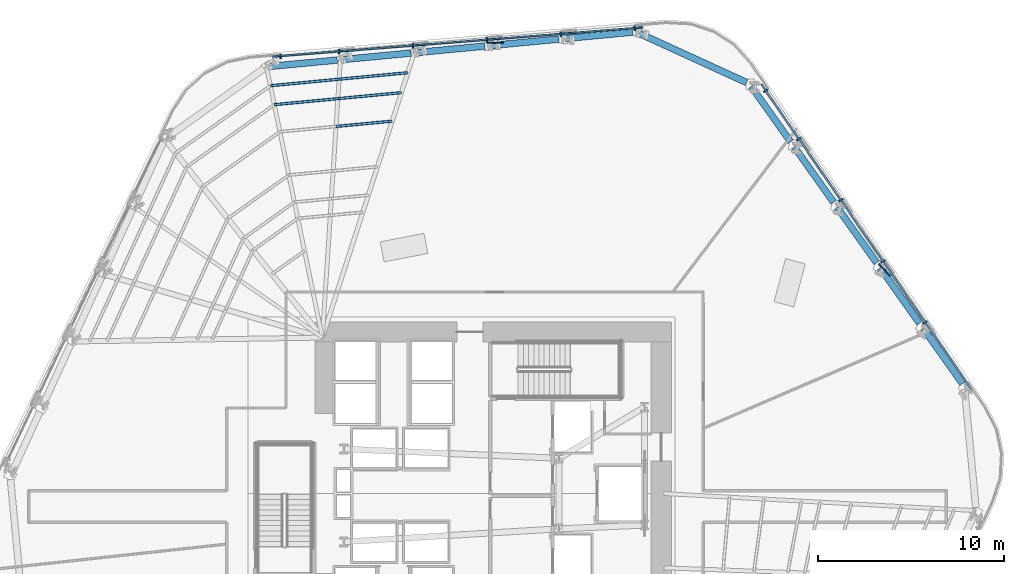
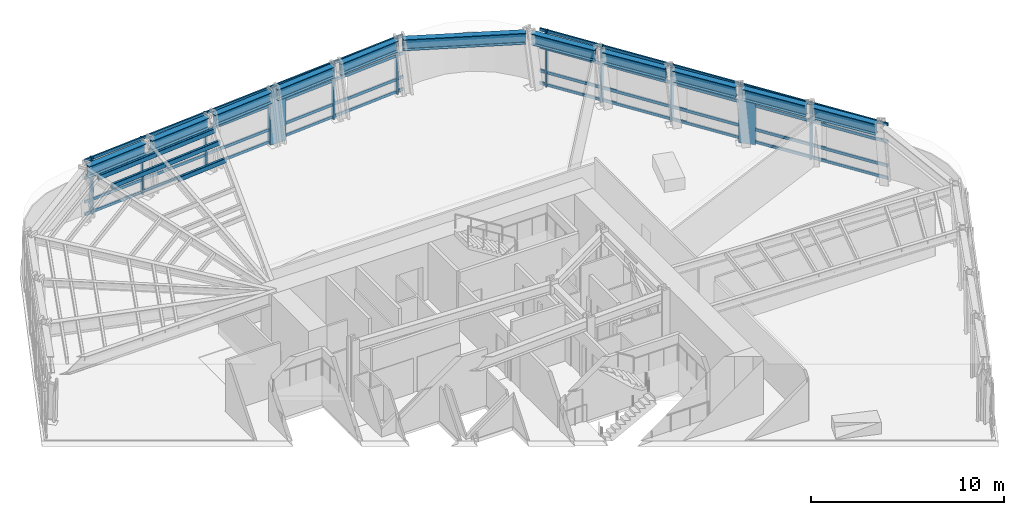
# One storey, part 6 of 15: 26 members, 11 beams, 2 elements without a shape of their own.
"""IFC4 building model written with IfcOpenShell, lengths in metres."""

from ifc_helpers import new_model, si_unit, direction, frame, origin, origin_2d, place, context, subcontext, project, spatial, rectangle, hollow_rectangle, i_section, extrude, material, layer, layer_set, material_profile, profile_set, type_object, element, aggregate, save


model = new_model("IFC4")

# Units and contexts
model_context = context("Model", 3, precision=1e-05, world=origin(), true_north=direction((0.0, 1.0)))
body_context = subcontext(model_context, "Body", "Model", "MODEL_VIEW")
ifc_project = project(units=[si_unit("LENGTHUNIT", "METRE"), si_unit("AREAUNIT", "SQUARE_METRE"), si_unit("VOLUMEUNIT", "CUBIC_METRE"), si_unit("PLANEANGLEUNIT", "RADIAN"), si_unit("MASSUNIT", "GRAM", prefix="KILO")], contexts=[model_context])

# Site, building, storey
site_placement = place(None, origin())
site = spatial("IfcSite", under=ifc_project, at=site_placement, CompositionType="ELEMENT")
building_placement = place(site_placement, origin())
building = spatial("IfcBuilding", under=site, at=building_placement, Name="Valkerne Bourse Tower", CompositionType="ELEMENT")
storey_placement = place(building_placement, frame((0.0, 0.0, 43.0)))
storey = spatial("IfcBuildingStorey", under=building, at=storey_placement, Name="L10", CompositionType="ELEMENT", Elevation=43.0)

# Beams
ifc_material_1 = material(Name="Steel ASTM A992", Category="steel")
ifc_material_profile_1 = material_profile(ifc_material_1, i_section(OverallWidth=0.358154296875, OverallDepth=0.7060546875, WebThickness=0.018310546875, FlangeThickness=0.0302734375, FilletRadius=0.02294921875, at=origin_2d()), Name="W27X178")
ifc_profile_set_1 = profile_set([ifc_material_profile_1], Name="Steel ASTM A992")
beam_type = type_object("IfcBeamType", Name="BM-W27X178", PredefinedType="SPANDREL", material=ifc_profile_set_1)
for number, where, z_axis, x_axis, name in (
    (1, (72.077880859375, 32.9169921875, 3.226806640625), (-0.579309893244, 0.815107384085, 0.0), (-0.815107384085, -0.579309893244, 0.0), "L10 Hexagonal Spandrel Ring Beam 00"),
    (2, (69.762939453125, 36.174072265625, 3.226806640625), (-0.579233990658, 0.815161323952, 0.0), (-0.815161323952, -0.579233990658, 0.0), "L10 Hexagonal Spandrel Ring Beam 01"),
    (3, (67.4482421875, 39.431396484375, 3.226806640625), (-0.579309893244, 0.815107384085, 0.0), (-0.815107384085, -0.579309893244, 0.0), "L10 Hexagonal Spandrel Ring Beam 02"),
):
    element("IfcBeam", number, at=place(storey_placement, frame(where, z_axis=z_axis, x_axis=x_axis)), inside=storey, type_object=beam_type, Name=name, PredefinedType="SPANDREL", context=body_context, shape_type="SweptSolid", body=[
        extrude(i_section(OverallWidth=0.358154296875, OverallDepth=0.7060546875, WebThickness=0.018310546875, FlangeThickness=0.0302734375, FilletRadius=0.02294921875, at=origin_2d()), origin(), (0.0, 0.0, 1.0), 3.656005859375),
    ])
beam_1_placement = place(storey_placement, frame((65.13330078125, 42.688720703125, 3.226806640625), z_axis=(-0.57926552254, 0.815138917238, 0.0), x_axis=(-0.815138917238, -0.57926552254, 0.0)))
element("IfcBeam", 4, at=beam_1_placement, inside=storey, type_object=beam_type, Name="L10 Hexagonal Spandrel Ring Beam 03", PredefinedType="SPANDREL", context=body_context, shape_type="SweptSolid", body=[
    extrude(i_section(OverallWidth=0.358154296875, OverallDepth=0.7060546875, WebThickness=0.018310546875, FlangeThickness=0.0302734375, FilletRadius=0.02294921875, at=origin_2d()), origin(), (0.0, 0.0, 1.0), 3.65576171875),
])
beam_2_placement = place(storey_placement, frame((62.818603515625, 45.94580078125, 3.226806640625), z_axis=(-0.579309893244, 0.815107384085, 0.0), x_axis=(-0.815107384085, -0.579309893244, 0.0)))
element("IfcBeam", 5, at=beam_2_placement, inside=storey, type_object=beam_type, Name="L10 Hexagonal Spandrel Ring Beam 04", PredefinedType="SPANDREL", context=body_context, shape_type="SweptSolid", body=[
    extrude(i_section(OverallWidth=0.358154296875, OverallDepth=0.7060546875, WebThickness=0.018310546875, FlangeThickness=0.0302734375, FilletRadius=0.02294921875, at=origin_2d()), origin(), (0.0, 0.0, 1.0), 3.656005859375),
])
beam_3_placement = place(storey_placement, frame((60.44775390625, 49.13525390625, 3.226806640625), z_axis=(-0.909232402618, 0.416288887708, 0.0), x_axis=(-0.416288887708, -0.909232402618, 0.0)))
element("IfcBeam", 6, at=beam_3_placement, inside=storey, type_object=beam_type, Name="L10 Hexagonal Spandrel Ring Beam 05", PredefinedType="SPANDREL", context=body_context, shape_type="SweptSolid", body=[
    extrude(i_section(OverallWidth=0.358154296875, OverallDepth=0.7060546875, WebThickness=0.018310546875, FlangeThickness=0.0302734375, FilletRadius=0.02294921875, at=origin_2d()), origin(), (0.0, 0.0, 1.0), 6.388916015625),
])
beam_4_placement = place(storey_placement, frame((54.314697265625, 51.849609375, 3.226806640625), z_axis=(-0.995563346647, -0.094093691671, 0.0), x_axis=(0.094093691671, -0.995563346647, 0.0)))
element("IfcBeam", 7, at=beam_4_placement, inside=storey, type_object=beam_type, Name="L10 Hexagonal Spandrel Ring Beam 06", PredefinedType="SPANDREL", context=body_context, shape_type="SweptSolid", body=[
    extrude(i_section(OverallWidth=0.358154296875, OverallDepth=0.7060546875, WebThickness=0.018310546875, FlangeThickness=0.0302734375, FilletRadius=0.02294921875, at=origin_2d()), origin(), (0.0, 0.0, 1.0), 3.65576171875),
])
beam_5_placement = place(storey_placement, frame((50.336669921875, 51.4736328125, 3.226806640625), z_axis=(-0.995563937838, -0.094087436341, 0.0), x_axis=(0.094087436341, -0.995563937838, 0.0)))
element("IfcBeam", 8, at=beam_5_placement, inside=storey, type_object=beam_type, Name="L10 Hexagonal Spandrel Ring Beam 07", PredefinedType="SPANDREL", context=body_context, shape_type="SweptSolid", body=[
    extrude(i_section(OverallWidth=0.358154296875, OverallDepth=0.7060546875, WebThickness=0.018310546875, FlangeThickness=0.0302734375, FilletRadius=0.02294921875, at=origin_2d()), origin(), (0.0, 0.0, 1.0), 3.656005859375),
])
beam_6_placement = place(storey_placement, frame((46.3583984375, 51.09765625, 3.226806640625), z_axis=(-0.995557680762, -0.094153620623, 0.0), x_axis=(0.094153620623, -0.995557680762, 0.0)))
element("IfcBeam", 9, at=beam_6_placement, inside=storey, type_object=beam_type, Name="L10 Hexagonal Spandrel Ring Beam 08", PredefinedType="SPANDREL", context=body_context, shape_type="SweptSolid", body=[
    extrude(i_section(OverallWidth=0.358154296875, OverallDepth=0.7060546875, WebThickness=0.018310546875, FlangeThickness=0.0302734375, FilletRadius=0.02294921875, at=origin_2d()), origin(), (0.0, 0.0, 1.0), 3.65625),
])
beam_7_placement = place(storey_placement, frame((42.3798828125, 50.721435546875, 3.226806640625), z_axis=(-0.995563346647, -0.094093691671, 0.0), x_axis=(0.094093691671, -0.995563346647, 0.0)))
element("IfcBeam", 10, at=beam_7_placement, inside=storey, type_object=beam_type, Name="L10 Hexagonal Spandrel Ring Beam 09", PredefinedType="SPANDREL", context=body_context, shape_type="SweptSolid", body=[
    extrude(i_section(OverallWidth=0.358154296875, OverallDepth=0.7060546875, WebThickness=0.018310546875, FlangeThickness=0.0302734375, FilletRadius=0.02294921875, at=origin_2d()), origin(), (0.0, 0.0, 1.0), 3.65576171875),
])
beam_8_placement = place(storey_placement, frame((38.40185546875, 50.345458984375, 3.226806640625), z_axis=(-0.995563937838, -0.094087436341, 0.0), x_axis=(0.094087436341, -0.995563937838, 0.0)))
element("IfcBeam", 11, at=beam_8_placement, inside=storey, type_object=beam_type, Name="L10 Hexagonal Spandrel Ring Beam 10", PredefinedType="SPANDREL", context=body_context, shape_type="SweptSolid", body=[
    extrude(i_section(OverallWidth=0.358154296875, OverallDepth=0.7060546875, WebThickness=0.018310546875, FlangeThickness=0.0302734375, FilletRadius=0.02294921875, at=origin_2d()), origin(), (0.0, 0.0, 1.0), 3.656005859375),
])

# Curtain wall, members
ifc_material_2 = material(Name="Aluminium AA 6063-T6", Category="aluminium")
ifc_layer = layer(ifc_material_2, 0.22509765625)
ifc_layer_set = layer_set([ifc_layer], Name="Aluminium AA 6063-T6")
curtain_wall_type = type_object("IfcCurtainWallType", Name="CW-01", PredefinedType="NOTDEFINED", material=ifc_layer_set)
curtain_wall_1_placement = place(storey_placement, origin())
curtain_wall_1 = element("IfcCurtainWall", 12, at=curtain_wall_1_placement, inside=storey, type_object=curtain_wall_type, Name="L10 Hexagonal Stick Curtain Wall Face 1", PredefinedType="NOTDEFINED")
ifc_material_profile_2 = material_profile(ifc_material_2, rectangle(XDim=0.090087890625, YDim=0.239990234375, at=origin_2d()), Name="CWM-90X240")
ifc_profile_set_2 = profile_set([ifc_material_profile_2], Name="Aluminium AA 6063-T6")
member_type_1 = type_object("IfcMemberType", Name="CW-MUL-240X90", PredefinedType="MULLION", material=ifc_profile_set_2)
member_1_placement = place(storey_placement, frame((70.04296875, 36.2109375, 0.0), z_axis=(0.0, 0.0, 1.0), x_axis=(-0.566414114299, 0.824120774597, 0.0)))
member_1 = element("IfcMember", 13, at=member_1_placement, type_object=member_type_1, Name="CW-L10-F1 Jamb Mullion 01A", PredefinedType="MULLION", context=body_context, shape_type="SweptSolid", body=[
    extrude(rectangle(XDim=0.090087890625, YDim=0.239990234375, at=origin_2d()), origin(), (0.0, 0.0, 1.0), 3.580078125),
])
member_2_placement = place(storey_placement, frame((67.779541015625, 39.504150390625, 0.0), z_axis=(0.0, 0.0, 1.0), x_axis=(-0.566397117643, 0.824132456056, 0.0)))
member_2 = element("IfcMember", 14, at=member_2_placement, type_object=member_type_1, Name="CW-L10-F1 Jamb Mullion 02A", PredefinedType="MULLION", context=body_context, shape_type="SweptSolid", body=[
    extrude(rectangle(XDim=0.090087890625, YDim=0.239990234375, at=origin_2d()), origin(), (0.0, 0.0, 1.0), 3.580078125),
])
member_3_placement = place(storey_placement, frame((65.51611328125, 42.79736328125, 0.0), z_axis=(0.0, 0.0, 1.0), x_axis=(-0.566414114299, 0.824120774597, 0.0)))
member_3 = element("IfcMember", 15, at=member_3_placement, type_object=member_type_1, Name="CW-L10-F1 Jamb Mullion 03A", PredefinedType="MULLION", context=body_context, shape_type="SweptSolid", body=[
    extrude(rectangle(XDim=0.090087890625, YDim=0.239990234375, at=origin_2d()), origin(), (0.0, 0.0, 1.0), 3.580078125),
])
member_4_placement = place(storey_placement, frame((63.252685546875, 46.090576171875, 0.0), z_axis=(0.0, 0.0, 1.0), x_axis=(-0.566397117643, 0.824132456056, 0.0)))
member_4 = element("IfcMember", 16, at=member_4_placement, type_object=member_type_1, Name="CW-L10-F1 Jamb Mullion 04A", PredefinedType="MULLION", context=body_context, shape_type="SweptSolid", body=[
    extrude(rectangle(XDim=0.090087890625, YDim=0.239990234375, at=origin_2d()), origin(), (0.0, 0.0, 1.0), 3.580078125),
])
member_5_placement = place(storey_placement, frame((61.46533203125, 48.69140625, 0.0), z_axis=(0.0, 0.0, 1.0), x_axis=(-0.566397117643, 0.824132456056, 0.0)))
member_5 = element("IfcMember", 17, at=member_5_placement, type_object=member_type_1, Name="CW-L10-F1 Jamb Mullion 04B", PredefinedType="MULLION", context=body_context, shape_type="SweptSolid", body=[
    extrude(rectangle(XDim=0.090087890625, YDim=0.239990234375, at=origin_2d()), origin(), (0.0, 0.0, 1.0), 3.580078125),
])

curtain_wall_2_placement = place(storey_placement, origin())
curtain_wall_2 = element("IfcCurtainWall", 18, at=curtain_wall_2_placement, inside=storey, type_object=curtain_wall_type, Name="L10 Hexagonal Stick Curtain Wall Face 2", PredefinedType="NOTDEFINED")
member_6_placement = place(storey_placement, frame((54.42822265625, 52.0478515625, 0.0), z_axis=(0.0, 0.0, 1.0), x_axis=(-0.99691780328, -0.078453129337, 0.0)))
member_6 = element("IfcMember", 19, at=member_6_placement, type_object=member_type_1, Name="CW-L10-F2 Jamb Mullion 00A", PredefinedType="MULLION", context=body_context, shape_type="SweptSolid", body=[
    extrude(rectangle(XDim=0.090087890625, YDim=0.239990234375, at=origin_2d()), origin(), (0.0, 0.0, 1.0), 3.580078125),
])
member_7_placement = place(storey_placement, frame((50.444580078125, 51.734375, 0.0), z_axis=(0.0, 0.0, 1.0), x_axis=(-0.99691780328, -0.078453129337, 0.0)))
member_7 = element("IfcMember", 20, at=member_7_placement, type_object=member_type_1, Name="CW-L10-F2 Jamb Mullion 01A", PredefinedType="MULLION", context=body_context, shape_type="SweptSolid", body=[
    extrude(rectangle(XDim=0.090087890625, YDim=0.239990234375, at=origin_2d()), origin(), (0.0, 0.0, 1.0), 3.580078125),
])
member_8_placement = place(storey_placement, frame((46.4609375, 51.4208984375, 0.0), z_axis=(0.0, 0.0, 1.0), x_axis=(-0.99691780328, -0.078453129337, 0.0)))
member_8 = element("IfcMember", 21, at=member_8_placement, type_object=member_type_1, Name="CW-L10-F2 Jamb Mullion 02A", PredefinedType="MULLION", context=body_context, shape_type="SweptSolid", body=[
    extrude(rectangle(XDim=0.090087890625, YDim=0.239990234375, at=origin_2d()), origin(), (0.0, 0.0, 1.0), 3.580078125),
])
member_9_placement = place(storey_placement, frame((42.477294921875, 51.107421875, 0.0), z_axis=(0.0, 0.0, 1.0), x_axis=(-0.996915845742, -0.078478000155, 0.0)))
member_9 = element("IfcMember", 22, at=member_9_placement, type_object=member_type_1, Name="CW-L10-F2 Jamb Mullion 03A", PredefinedType="MULLION", context=body_context, shape_type="SweptSolid", body=[
    extrude(rectangle(XDim=0.090087890625, YDim=0.239990234375, at=origin_2d()), origin(), (0.0, 0.0, 1.0), 3.580078125),
])
member_10_placement = place(storey_placement, frame((38.493408203125, 50.793701171875, 0.0), z_axis=(0.0, 0.0, 1.0), x_axis=(-0.99691764925, -0.078455086606, 0.0)))
member_10 = element("IfcMember", 23, at=member_10_placement, type_object=member_type_1, Name="CW-L10-F2 Jamb Mullion 04A", PredefinedType="MULLION", context=body_context, shape_type="SweptSolid", body=[
    extrude(rectangle(XDim=0.090087890625, YDim=0.239990234375, at=origin_2d()), origin(), (0.0, 0.0, 1.0), 3.580078125),
])
member_11_placement = place(storey_placement, frame((35.347412109375, 50.546142578125, 0.0), z_axis=(0.0, 0.0, 1.0), x_axis=(-0.99691764925, -0.078455086606, 0.0)))
member_11 = element("IfcMember", 24, at=member_11_placement, type_object=member_type_1, Name="CW-L10-F2 Jamb Mullion 04B", PredefinedType="MULLION", context=body_context, shape_type="SweptSolid", body=[
    extrude(rectangle(XDim=0.090087890625, YDim=0.239990234375, at=origin_2d()), origin(), (0.0, 0.0, 1.0), 3.580078125),
])

# Member
ifc_material_profile_3 = material_profile(ifc_material_2, rectangle(XDim=0.090087890625, YDim=0.179931640625, at=origin_2d()), Name="CWT-90X180")
ifc_profile_set_3 = profile_set([ifc_material_profile_3], Name="Aluminium AA 6063-T6")
member_type_2 = type_object("IfcMemberType", Name="CW-TRN-180X90", PredefinedType="USERDEFINED", material=ifc_profile_set_3)
member_12_placement = place(storey_placement, frame((72.560791015625, 32.5830078125, 0.1201171875), z_axis=(-0.56641472718, 0.824120353367, 0.0), x_axis=(-0.824120353367, -0.56641472718, 0.0)))
member_12 = element("IfcMember", 25, at=member_12_placement, type_object=member_type_2, Name="CW-L10-F1 Continuous Face Transom 1", ObjectType="TRANSOM", PredefinedType="USERDEFINED", context=body_context, shape_type="SweptSolid", body=[
    extrude(rectangle(XDim=0.090087890625, YDim=0.179931640625, at=origin_2d()), origin(), (0.0, 0.0, 1.0), 19.97998046875),
])

member_13_placement = place(storey_placement, frame((72.560791015625, 32.5830078125, 0.89990234375), z_axis=(-0.56641472718, 0.824120353367, 0.0), x_axis=(-0.824120353367, -0.56641472718, 0.0)))
member_13 = element("IfcMember", 26, at=member_13_placement, type_object=member_type_2, Name="CW-L10-F1 Continuous Face Transom 2", ObjectType="TRANSOM", PredefinedType="USERDEFINED", context=body_context, shape_type="SweptSolid", body=[
    extrude(rectangle(XDim=0.090087890625, YDim=0.179931640625, at=origin_2d()), origin(), (0.0, 0.0, 1.0), 19.97998046875),
])

member_14_placement = place(storey_placement, frame((72.560791015625, 32.5830078125, 2.39990234375), z_axis=(-0.56641472718, 0.824120353367, 0.0), x_axis=(-0.824120353367, -0.56641472718, 0.0)))
member_14 = element("IfcMember", 27, at=member_14_placement, type_object=member_type_2, Name="CW-L10-F1 Continuous Face Transom 3", ObjectType="TRANSOM", PredefinedType="USERDEFINED", context=body_context, shape_type="SweptSolid", body=[
    extrude(rectangle(XDim=0.090087890625, YDim=0.179931640625, at=origin_2d()), origin(), (0.0, 0.0, 1.0), 19.97998046875),
])

member_15_placement = place(storey_placement, frame((72.560791015625, 32.5830078125, 3.5), z_axis=(-0.56641472718, 0.824120353367, 0.0), x_axis=(-0.824120353367, -0.56641472718, 0.0)))
member_15 = element("IfcMember", 28, at=member_15_placement, type_object=member_type_2, Name="CW-L10-F1 Continuous Face Transom 4", ObjectType="TRANSOM", PredefinedType="USERDEFINED", context=body_context, shape_type="SweptSolid", body=[
    extrude(rectangle(XDim=0.090087890625, YDim=0.179931640625, at=origin_2d()), origin(), (0.0, 0.0, 1.0), 19.97998046875),
])

aggregate(curtain_wall_1, [member_12, member_13, member_14, member_15, member_1, member_2, member_3, member_4, member_5])

member_16_placement = place(storey_placement, frame((54.845458984375, 52.100830078125, 0.1201171875), z_axis=(-0.996917293069, -0.078459612419, 0.0), x_axis=(0.078459612419, -0.996917293069, 0.0)))
member_16 = element("IfcMember", 29, at=member_16_placement, type_object=member_type_2, Name="CW-L10-F2 Continuous Face Transom 1", ObjectType="TRANSOM", PredefinedType="USERDEFINED", context=body_context, shape_type="SweptSolid", body=[
    extrude(rectangle(XDim=0.090087890625, YDim=0.179931640625, at=origin_2d()), origin(), (0.0, 0.0, 1.0), 19.97998046875),
])

member_17_placement = place(storey_placement, frame((54.845458984375, 52.100830078125, 0.89990234375), z_axis=(-0.996917293069, -0.078459612419, 0.0), x_axis=(0.078459612419, -0.996917293069, 0.0)))
member_17 = element("IfcMember", 30, at=member_17_placement, type_object=member_type_2, Name="CW-L10-F2 Continuous Face Transom 2", ObjectType="TRANSOM", PredefinedType="USERDEFINED", context=body_context, shape_type="SweptSolid", body=[
    extrude(rectangle(XDim=0.090087890625, YDim=0.179931640625, at=origin_2d()), origin(), (0.0, 0.0, 1.0), 19.97998046875),
])

member_18_placement = place(storey_placement, frame((54.845458984375, 52.100830078125, 2.39990234375), z_axis=(-0.996917293069, -0.078459612419, 0.0), x_axis=(0.078459612419, -0.996917293069, 0.0)))
member_18 = element("IfcMember", 31, at=member_18_placement, type_object=member_type_2, Name="CW-L10-F2 Continuous Face Transom 3", ObjectType="TRANSOM", PredefinedType="USERDEFINED", context=body_context, shape_type="SweptSolid", body=[
    extrude(rectangle(XDim=0.090087890625, YDim=0.179931640625, at=origin_2d()), origin(), (0.0, 0.0, 1.0), 19.97998046875),
])

member_19_placement = place(storey_placement, frame((54.845458984375, 52.100830078125, 3.5), z_axis=(-0.996917293069, -0.078459612419, 0.0), x_axis=(0.078459612419, -0.996917293069, 0.0)))
member_19 = element("IfcMember", 32, at=member_19_placement, type_object=member_type_2, Name="CW-L10-F2 Continuous Face Transom 4", ObjectType="TRANSOM", PredefinedType="USERDEFINED", context=body_context, shape_type="SweptSolid", body=[
    extrude(rectangle(XDim=0.090087890625, YDim=0.179931640625, at=origin_2d()), origin(), (0.0, 0.0, 1.0), 19.97998046875),
])

aggregate(curtain_wall_2, [member_16, member_17, member_18, member_19, member_6, member_7, member_8, member_9, member_10, member_11])

# Members
ifc_material_3 = material(Name="Bronze Anodised Aluminium AA 6063-T6", Category="aluminium")
ifc_material_profile_4 = material_profile(ifc_material_3, rectangle(XDim=0.070068359375, YDim=0.89990234375, at=origin_2d()), Name="FIN-70X900")
ifc_profile_set_4 = profile_set([ifc_material_profile_4], Name="Bronze Anodised Aluminium AA 6063-T6")
member_type_3 = type_object("IfcMemberType", Name="FIN-SOLAR-900", PredefinedType="USERDEFINED", material=ifc_profile_set_4)
for number, where, z_axis, x_axis, name in (
    (33, (67.869140625, 39.055908203125, 0.00390625), (0.0, 0.0, 1.0), (0.724271074082, 0.689515345187, 0.0), "L10 Bronze Anodised Solar Fin F1-02"),
    (34, (46.893798828125, 51.2744140625, 0.00390625), (0.0, 0.0, 1.0), (0.003029188014, 0.999995411999, 0.0), "L10 Bronze Anodised Solar Fin F2-02"),
):
    element("IfcMember", number, at=place(storey_placement, frame(where, z_axis=z_axis, x_axis=x_axis)), inside=storey, type_object=member_type_3, Name=name, ObjectType="SOLAR_FIN", PredefinedType="USERDEFINED", context=body_context, shape_type="SweptSolid", body=[
        extrude(rectangle(XDim=0.070068359375, YDim=0.89990234375, at=origin_2d()), origin(), (0.0, 0.0, 1.0), 3.572021484375),
    ])
ifc_material_4 = material(Name="Steel ASTM A500 Grade C", Category="steel")
ifc_material_profile_5 = material_profile(ifc_material_4, hollow_rectangle(XDim=0.14990234375, YDim=0.300048828125, WallThickness=0.012451171875, OuterFilletRadius=0.02490234375, at=origin_2d()), Name="HSS300X150X12.5")
ifc_profile_set_5 = profile_set([ifc_material_profile_5], Name="Steel ASTM A500 Grade C")
member_type_4 = type_object("IfcMemberType", Name="MBR-HSS300X150X12.5", PredefinedType="PURLIN", material=ifc_profile_set_5)
member_20_placement = place(storey_placement, frame((41.361328125, 47.056396484375, 3.419921875), z_axis=(-0.995566728482, -0.094057903127, 0.0), x_axis=(0.094057903127, -0.995566728482, 0.0)))
element("IfcMember", 35, at=member_20_placement, inside=storey, type_object=member_type_4, Name="L10 Secondary Composite Floor Purlin O-09", PredefinedType="PURLIN", context=body_context, shape_type="SweptSolid", body=[
    extrude(hollow_rectangle(XDim=0.14990234375, YDim=0.300048828125, WallThickness=0.012451171875, OuterFilletRadius=0.02490234375, at=origin_2d()), origin(), (0.0, 0.0, 1.0), 3.036865234375),
])
member_21_placement = place(storey_placement, frame((41.856201171875, 48.590087890625, 3.419921875), z_axis=(-0.995566080583, -0.094064760629, 0.0), x_axis=(0.094064760629, -0.995566080583, 0.0)))
element("IfcMember", 36, at=member_21_placement, inside=storey, type_object=member_type_4, Name="L10 Secondary Composite Floor Purlin T-09", PredefinedType="PURLIN", context=body_context, shape_type="SweptSolid", body=[
    extrude(hollow_rectangle(XDim=0.14990234375, YDim=0.300048828125, WallThickness=0.012451171875, OuterFilletRadius=0.02490234375, at=origin_2d()), origin(), (0.0, 0.0, 1.0), 3.436279296875),
])
member_22_placement = place(storey_placement, frame((38.43505859375, 48.266845703125, 3.419921875), z_axis=(-0.995560054351, -0.094128519482, 0.0), x_axis=(0.094128519482, -0.995560054351, 0.0)))
element("IfcMember", 37, at=member_22_placement, inside=storey, type_object=member_type_4, Name="L10 Secondary Composite Floor Purlin T-10", PredefinedType="PURLIN", context=body_context, shape_type="SweptSolid", body=[
    extrude(hollow_rectangle(XDim=0.14990234375, YDim=0.300048828125, WallThickness=0.012451171875, OuterFilletRadius=0.02490234375, at=origin_2d()), origin(), (0.0, 0.0, 1.0), 3.4365234375),
])
member_23_placement = place(storey_placement, frame((42.202880859375, 49.663818359375, 3.419921875), z_axis=(-0.995565467697, -0.094071247096, 0.0), x_axis=(0.094071247096, -0.995565467697, 0.0)))
element("IfcMember", 38, at=member_23_placement, inside=storey, type_object=member_type_4, Name="L10 Secondary Composite Floor Purlin U-09", PredefinedType="PURLIN", context=body_context, shape_type="SweptSolid", body=[
    extrude(hollow_rectangle(XDim=0.14990234375, YDim=0.300048828125, WallThickness=0.012451171875, OuterFilletRadius=0.02490234375, at=origin_2d()), origin(), (0.0, 0.0, 1.0), 3.716552734375),
])
member_24_placement = place(storey_placement, frame((38.5029296875, 49.314208984375, 3.419921875), z_axis=(-0.995558731066, -0.094142514294, 0.0), x_axis=(0.094142514294, -0.995558731066, 0.0)))
element("IfcMember", 39, at=member_24_placement, inside=storey, type_object=member_type_4, Name="L10 Secondary Composite Floor Purlin U-10", PredefinedType="PURLIN", context=body_context, shape_type="SweptSolid", body=[
    extrude(hollow_rectangle(XDim=0.14990234375, YDim=0.300048828125, WallThickness=0.012451171875, OuterFilletRadius=0.02490234375, at=origin_2d()), origin(), (0.0, 0.0, 1.0), 3.71630859375),
])

save(model, "model.ifc")
